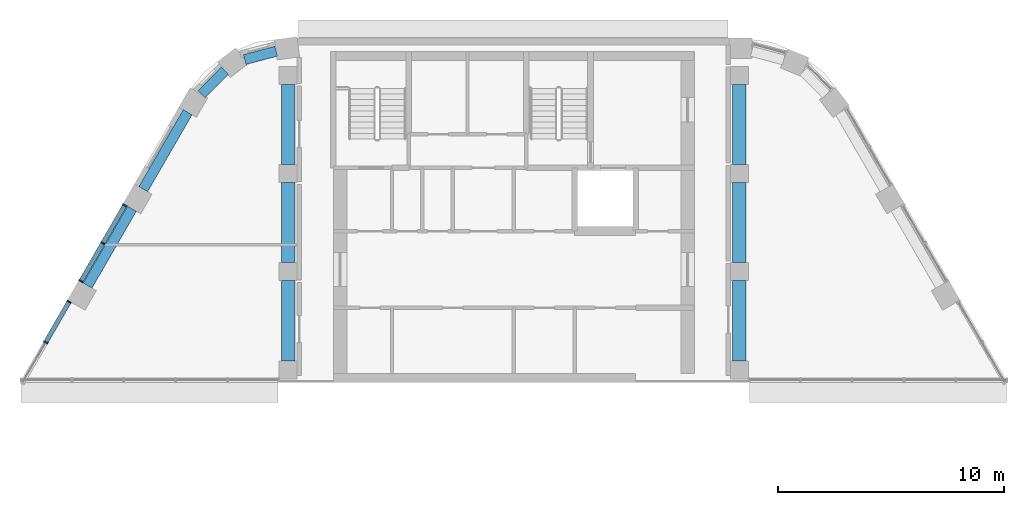
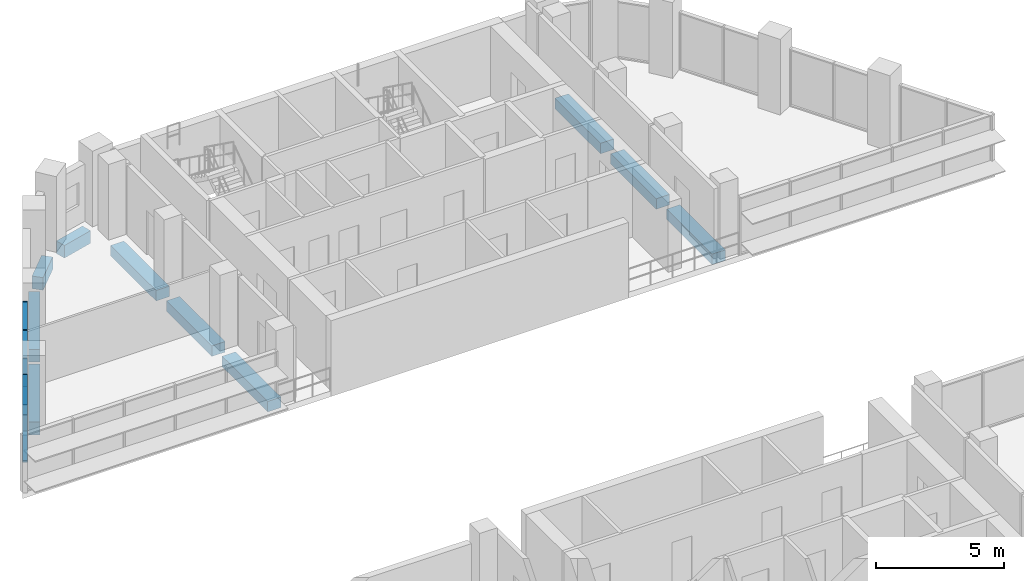
# One storey, part 5 of 13: 11 members, 10 beams, 2 elements without a shape of their own.
"""IFC4 building model written with IfcOpenShell, lengths in metres."""

from ifc_helpers import new_model, si_unit, direction, frame, origin, origin_2d, place, context, subcontext, project, spatial, rectangle, extrude, material, layer, layer_set, material_profile, profile_set, type_object, element, aggregate, save


model = new_model("IFC4")

# Units and contexts
model_context = context("Model", 3, precision=1e-05, world=origin(), true_north=direction((0.0, 1.0)))
body_context = subcontext(model_context, "Body", "Model", "MODEL_VIEW")
ifc_project = project(units=[si_unit("LENGTHUNIT", "METRE"), si_unit("AREAUNIT", "SQUARE_METRE"), si_unit("VOLUMEUNIT", "CUBIC_METRE"), si_unit("PLANEANGLEUNIT", "RADIAN"), si_unit("MASSUNIT", "GRAM", prefix="KILO")], contexts=[model_context])

# Site, building, storey
site_placement = place(None, origin())
site = spatial("IfcSite", under=ifc_project, at=site_placement, CompositionType="ELEMENT")
building_placement = place(site_placement, origin())
building = spatial("IfcBuilding", under=site, at=building_placement, Name="Nakaniwa Court", CompositionType="ELEMENT")
storey_placement = place(building_placement, frame((0.0, 0.0, 286.800048828125)))
storey = spatial("IfcBuildingStorey", under=building, at=storey_placement, Name="C05", CompositionType="ELEMENT", Elevation=286.800048828125)

# Beams
ifc_material_1 = material(Name="Concrete C80/100", Category="concrete")
ifc_material_profile_1 = material_profile(ifc_material_1, rectangle(XDim=0.449951171875, YDim=0.60009765625, at=origin_2d()), Name="Concrete C80/100 RC 450x600 spandrel beam")
ifc_profile_set_1 = profile_set([ifc_material_profile_1], Name="Concrete C80/100")
beam_type_1 = type_object("IfcBeamType", Name="Concrete C80/100 RC 450x600 spandrel beam", PredefinedType="BEAM", material=ifc_profile_set_1)
beam_1_placement = place(storey_placement, frame((69.467529296875, 102.0703125, -0.574951171875), z_axis=(-0.966341744737, -0.257261797354, 0.0), x_axis=(0.257261797354, -0.966341744737, 0.0)))
element("IfcBeam", 1, at=beam_1_placement, inside=storey, type_object=beam_type_1, Name="SPANDREL BEAM", PredefinedType="BEAM", context=body_context, shape_type="SweptSolid", body=[
    extrude(rectangle(XDim=0.449951171875, YDim=0.60009765625, at=origin_2d()), origin(), (0.0, 0.0, 1.0), 1.440673828125),
])
beam_2_placement = place(storey_placement, frame((67.196044921875, 101.202880859375, -0.574951171875), z_axis=(-0.706105687672, -0.708106459396, 0.0), x_axis=(0.708106459396, -0.706105687672, 0.0)))
element("IfcBeam", 2, at=beam_2_placement, inside=storey, type_object=beam_type_1, Name="SPANDREL BEAM", PredefinedType="BEAM", context=body_context, shape_type="SweptSolid", body=[
    extrude(rectangle(XDim=0.449951171875, YDim=0.60009765625, at=origin_2d()), origin(), (0.0, 0.0, 1.0), 1.46435546875),
])
for number, where, z_axis, x_axis, name in (
    (3, (65.546875, 99.366455078125, -0.574951171875), (-0.499974795965, -0.866039954852, 0.0), (0.866039954852, -0.499974795965, 0.0), "SPANDREL BEAM"),
    (4, (63.078857421875, 95.091552734375, -0.574951171875), (-0.500021313302, -0.866013098194, 0.0), (0.866013098194, -0.500021313302, 0.0), "SPANDREL BEAM"),
):
    element("IfcBeam", number, at=place(storey_placement, frame(where, z_axis=z_axis, x_axis=x_axis)), inside=storey, type_object=beam_type_1, Name=name, PredefinedType="BEAM", context=body_context, shape_type="SweptSolid", body=[
        extrude(rectangle(XDim=0.449951171875, YDim=0.60009765625, at=origin_2d()), origin(), (0.0, 0.0, 1.0), 3.936279296875),
    ])
ifc_material_profile_2 = material_profile(ifc_material_1, rectangle(XDim=0.60009765625, YDim=0.5, at=origin_2d()), Name="Concrete C80/100 RC 600x500 ring beam")
ifc_profile_set_2 = profile_set([ifc_material_profile_2], Name="Concrete C80/100")
beam_type_2 = type_object("IfcBeamType", Name="Concrete C80/100 RC 600x500 ring beam", PredefinedType="BEAM", material=ifc_profile_set_2)
beam_3_placement = place(storey_placement, frame((90.0, 88.35009765625, -0.525146484375), z_axis=(0.0, 1.0, 0.0), x_axis=(-1.0, 0.0, 0.0)))
element("IfcBeam", 5, at=beam_3_placement, inside=storey, type_object=beam_type_2, Name="RING BEAM", PredefinedType="BEAM", context=body_context, shape_type="SweptSolid", body=[
    extrude(rectangle(XDim=0.60009765625, YDim=0.5, at=origin_2d()), origin(), (0.0, 0.0, 1.0), 3.5498046875),
])
for number, where, z_axis, x_axis, name in (
    (6, (90.0, 92.699951171875, -0.525146484375), (0.0, 1.0, 0.0), (-1.0, 0.0, 0.0), "RING BEAM"),
    (7, (90.0, 97.050048828125, -0.525146484375), (0.0, 1.0, 0.0), (-1.0, 0.0, 0.0), "RING BEAM"),
    (8, (70.0, 100.60009765625, -0.525146484375), (0.0, -1.0, 0.0), (1.0, 0.0, 0.0), "RING BEAM"),
    (9, (70.0, 96.25, -0.525146484375), (0.0, -1.0, 0.0), (1.0, 0.0, 0.0), "RING BEAM"),
):
    element("IfcBeam", number, at=place(storey_placement, frame(where, z_axis=z_axis, x_axis=x_axis)), inside=storey, type_object=beam_type_2, Name=name, PredefinedType="BEAM", context=body_context, shape_type="SweptSolid", body=[
        extrude(rectangle(XDim=0.60009765625, YDim=0.5, at=origin_2d()), origin(), (0.0, 0.0, 1.0), 3.550048828125),
    ])
beam_4_placement = place(storey_placement, frame((70.0, 91.89990234375, -0.525146484375), z_axis=(0.0, -1.0, 0.0), x_axis=(1.0, 0.0, 0.0)))
element("IfcBeam", 10, at=beam_4_placement, inside=storey, type_object=beam_type_2, Name="RING BEAM", PredefinedType="BEAM", context=body_context, shape_type="SweptSolid", body=[
    extrude(rectangle(XDim=0.60009765625, YDim=0.5, at=origin_2d()), origin(), (0.0, 0.0, 1.0), 3.5498046875),
])

# Curtain wall, members
ifc_material_2 = material(Name="Black anodised aluminium frame with dark low-E laminated double glazing", Category="aluminium")
ifc_layer = layer(ifc_material_2, 0.199951171875)
ifc_layer_set = layer_set([ifc_layer], Name="Black anodised aluminium frame with dark low-E laminated double glazing")
curtain_wall_type = type_object("IfcCurtainWallType", Name="Crown curtain wall", PredefinedType="NOTDEFINED", material=ifc_layer_set)
curtain_wall_1_placement = place(storey_placement, origin())
curtain_wall_1 = element("IfcCurtainWall", 11, at=curtain_wall_1_placement, inside=storey, type_object=curtain_wall_type, Name="C05 curtain wall CW4 14", PredefinedType="NOTDEFINED")
ifc_material_3 = material(Name="Black anodised aluminium extrusion", Category="aluminium")
ifc_material_profile_3 = material_profile(ifc_material_3, rectangle(XDim=0.199951171875, YDim=0.06494140625, at=origin_2d()), Name="Crown curtain wall mullion 65x200")
ifc_profile_set_3 = profile_set([ifc_material_profile_3], Name="Black anodised aluminium extrusion")
member_type_1 = type_object("IfcMemberType", Name="Crown curtain wall mullion 65x200", PredefinedType="MULLION", material=ifc_profile_set_3)
member_1_placement = place(storey_placement, frame((62.761474609375, 95.241943359375, 0.0), z_axis=(0.0, 0.0, 1.0), x_axis=(0.866033174523, -0.499986540445, 0.0)))
member_1 = element("IfcMember", 12, at=member_1_placement, type_object=member_type_1, Name="CW4 mullion 1", PredefinedType="MULLION", context=body_context, shape_type="SweptSolid", body=[
    extrude(rectangle(XDim=0.199951171875, YDim=0.06494140625, at=origin_2d()), origin(), (0.0, 0.0, 1.0), 2.724853515625),
])
member_2_placement = place(storey_placement, frame((61.791748046875, 93.562255859375, 0.0), z_axis=(0.0, 0.0, 1.0), x_axis=(0.866033174523, -0.499986540445, 0.0)))
member_2 = element("IfcMember", 13, at=member_2_placement, type_object=member_type_1, Name="CW4 mullion 2", PredefinedType="MULLION", context=body_context, shape_type="SweptSolid", body=[
    extrude(rectangle(XDim=0.199951171875, YDim=0.06494140625, at=origin_2d()), origin(), (0.0, 0.0, 1.0), 2.724853515625),
])
member_3_placement = place(storey_placement, frame((60.82177734375, 91.88232421875, 0.0), z_axis=(0.0, 0.0, 1.0), x_axis=(0.866033174523, -0.499986540445, 0.0)))
member_3 = element("IfcMember", 14, at=member_3_placement, type_object=member_type_1, Name="CW4 mullion 3", PredefinedType="MULLION", context=body_context, shape_type="SweptSolid", body=[
    extrude(rectangle(XDim=0.199951171875, YDim=0.06494140625, at=origin_2d()), origin(), (0.0, 0.0, 1.0), 2.724853515625),
])

curtain_wall_2_placement = place(storey_placement, origin())
curtain_wall_2 = element("IfcCurtainWall", 15, at=curtain_wall_2_placement, inside=storey, type_object=curtain_wall_type, Name="C05 curtain wall CW4 15", PredefinedType="NOTDEFINED")
member_4_placement = place(storey_placement, frame((60.29345703125, 90.967041015625, 0.0), z_axis=(0.0, 0.0, 1.0), x_axis=(0.866021000852, -0.500007626024, 0.0)))
member_4 = element("IfcMember", 16, at=member_4_placement, type_object=member_type_1, Name="CW4 mullion 1", PredefinedType="MULLION", context=body_context, shape_type="SweptSolid", body=[
    extrude(rectangle(XDim=0.199951171875, YDim=0.06494140625, at=origin_2d()), origin(), (0.0, 0.0, 1.0), 2.724853515625),
])
member_5_placement = place(storey_placement, frame((59.25732421875, 89.172607421875, 0.0), z_axis=(0.0, 0.0, 1.0), x_axis=(0.866021000852, -0.500007626024, 0.0)))
member_5 = element("IfcMember", 17, at=member_5_placement, type_object=member_type_1, Name="CW4 mullion 2", PredefinedType="MULLION", context=body_context, shape_type="SweptSolid", body=[
    extrude(rectangle(XDim=0.199951171875, YDim=0.06494140625, at=origin_2d()), origin(), (0.0, 0.0, 1.0), 2.724853515625),
])

# Member
ifc_material_profile_4 = material_profile(ifc_material_3, rectangle(XDim=0.199951171875, YDim=0.054931640625, at=origin_2d()), Name="Crown curtain wall transom 55x200")
ifc_profile_set_4 = profile_set([ifc_material_profile_4], Name="Black anodised aluminium extrusion")
member_type_2 = type_object("IfcMemberType", Name="Crown curtain wall transom 55x200", PredefinedType="USERDEFINED", material=ifc_profile_set_4)
member_6_placement = place(storey_placement, frame((62.7451171875, 95.2138671875, 0.02734375), z_axis=(-0.499962952589, -0.86604679206, 0.0), x_axis=(0.86604679206, -0.499962952589, 0.0)))
member_6 = element("IfcMember", 18, at=member_6_placement, type_object=member_type_2, Name="CW4 transom 1.1", ObjectType="TRANSOM", PredefinedType="USERDEFINED", context=body_context, shape_type="SweptSolid", body=[
    extrude(rectangle(XDim=0.199951171875, YDim=0.054931640625, at=origin_2d()), origin(), (0.0, 0.0, 1.0), 1.874755859375),
])

member_7_placement = place(storey_placement, frame((62.7451171875, 95.2138671875, 2.697509765625), z_axis=(-0.499962952589, -0.86604679206, 0.0), x_axis=(0.86604679206, -0.499962952589, 0.0)))
member_7 = element("IfcMember", 19, at=member_7_placement, type_object=member_type_2, Name="CW4 transom 1.2", ObjectType="TRANSOM", PredefinedType="USERDEFINED", context=body_context, shape_type="SweptSolid", body=[
    extrude(rectangle(XDim=0.199951171875, YDim=0.054931640625, at=origin_2d()), origin(), (0.0, 0.0, 1.0), 1.874755859375),
])

member_8_placement = place(storey_placement, frame((61.775390625, 93.533935546875, 0.02734375), z_axis=(-0.499962952589, -0.86604679206, 0.0), x_axis=(0.86604679206, -0.499962952589, 0.0)))
member_8 = element("IfcMember", 20, at=member_8_placement, type_object=member_type_2, Name="CW4 transom 2.1", ObjectType="TRANSOM", PredefinedType="USERDEFINED", context=body_context, shape_type="SweptSolid", body=[
    extrude(rectangle(XDim=0.199951171875, YDim=0.054931640625, at=origin_2d()), origin(), (0.0, 0.0, 1.0), 1.874755859375),
])

member_9_placement = place(storey_placement, frame((61.775390625, 93.533935546875, 2.697509765625), z_axis=(-0.499962952589, -0.86604679206, 0.0), x_axis=(0.86604679206, -0.499962952589, 0.0)))
member_9 = element("IfcMember", 21, at=member_9_placement, type_object=member_type_2, Name="CW4 transom 2.2", ObjectType="TRANSOM", PredefinedType="USERDEFINED", context=body_context, shape_type="SweptSolid", body=[
    extrude(rectangle(XDim=0.199951171875, YDim=0.054931640625, at=origin_2d()), origin(), (0.0, 0.0, 1.0), 1.874755859375),
])

aggregate(curtain_wall_1, [member_1, member_2, member_3, member_6, member_7, member_8, member_9])

member_10_placement = place(storey_placement, frame((60.277099609375, 90.93896484375, 0.02734375), z_axis=(-0.500024272756, -0.866011389449, 0.0), x_axis=(0.866011389449, -0.500024272756, 0.0)))
member_10 = element("IfcMember", 22, at=member_10_placement, type_object=member_type_2, Name="CW4 transom 1.1", ObjectType="TRANSOM", PredefinedType="USERDEFINED", context=body_context, shape_type="SweptSolid", body=[
    extrude(rectangle(XDim=0.199951171875, YDim=0.054931640625, at=origin_2d()), origin(), (0.0, 0.0, 1.0), 2.00732421875),
])

member_11_placement = place(storey_placement, frame((60.277099609375, 90.93896484375, 2.697509765625), z_axis=(-0.500024272756, -0.866011389449, 0.0), x_axis=(0.866011389449, -0.500024272756, 0.0)))
member_11 = element("IfcMember", 23, at=member_11_placement, type_object=member_type_2, Name="CW4 transom 1.2", ObjectType="TRANSOM", PredefinedType="USERDEFINED", context=body_context, shape_type="SweptSolid", body=[
    extrude(rectangle(XDim=0.199951171875, YDim=0.054931640625, at=origin_2d()), origin(), (0.0, 0.0, 1.0), 2.00732421875),
])

aggregate(curtain_wall_2, [member_4, member_5, member_10, member_11])

save(model, "model.ifc")
